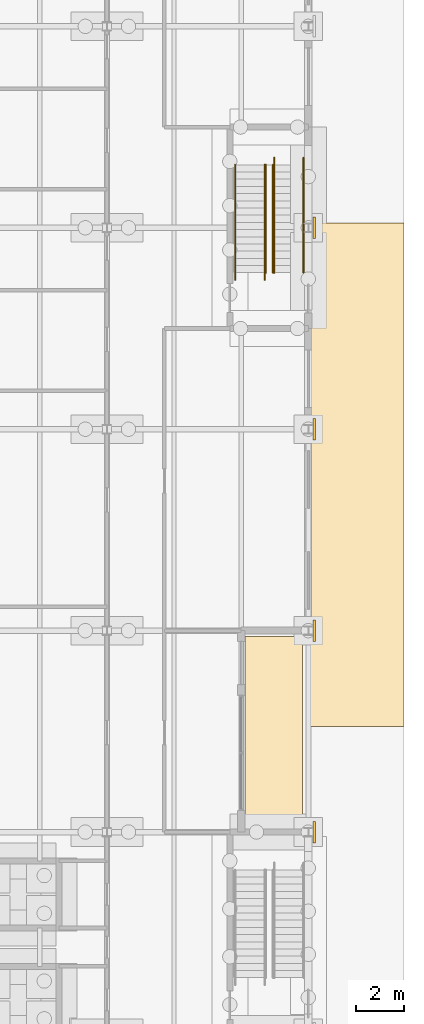
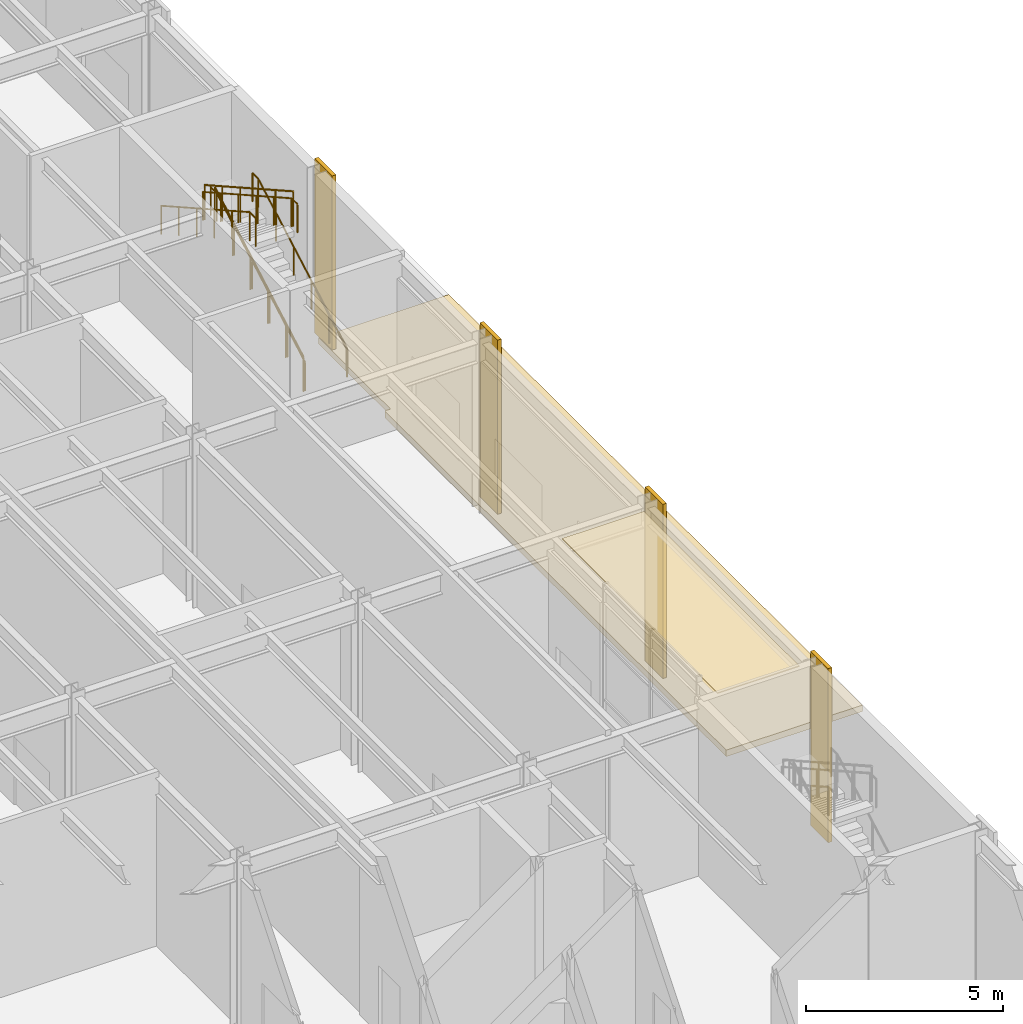
# One storey, part 104 of 127: 6 coverings, 6 railings.
"""IFC4 building model written with IfcOpenShell, lengths in metres."""

from ifc_helpers import new_model, si_unit, direction, frame, origin, origin_2d, place, context, subcontext, project, spatial, polyline, rectangle, circle, outline, extrude, material, layer, layer_set, type_object, element, save


model = new_model("IFC4")

# Units and contexts
model_context = context("Model", 3, precision=1e-05, world=origin(), true_north=direction((0.0, 1.0)))
body_context = subcontext(model_context, "Body", "Model", "MODEL_VIEW")
ifc_project = project(units=[si_unit("LENGTHUNIT", "METRE"), si_unit("AREAUNIT", "SQUARE_METRE"), si_unit("VOLUMEUNIT", "CUBIC_METRE"), si_unit("PLANEANGLEUNIT", "RADIAN"), si_unit("MASSUNIT", "GRAM", prefix="KILO")], contexts=[model_context])

# Site, building, storey
site_placement = place(None, origin())
site = spatial("IfcSite", under=ifc_project, at=site_placement, CompositionType="ELEMENT")
building_placement = place(site_placement, origin())
building = spatial("IfcBuilding", under=site, at=building_placement, Name="Ljudholm Concert House", CompositionType="ELEMENT")
storey_placement = place(building_placement, origin())
storey = spatial("IfcBuildingStorey", under=building, at=storey_placement, Name="L00", CompositionType="ELEMENT", Elevation=0.0)

# Covering
ifc_material_1 = material(Name="Aluminium extrusion with timber-grain PVDF finish", Category="aluminium")
ifc_layer_1 = layer(ifc_material_1, 0.030029296875)
ifc_layer_set_1 = layer_set([ifc_layer_1], Name="Aluminium extrusion with timber-grain PVDF finish")
covering_type_1 = type_object("IfcCoveringType", Name="ALUMINIUM EXTRUSION WITH TIMBER-GRAIN PVDF FINISH CEILING 30", PredefinedType="CEILING", material=ifc_layer_set_1)
covering_1_placement = place(storey_placement, frame((0.0, 0.0, 5.18994140625)))
element("IfcCovering", 1, at=covering_1_placement, inside=storey, type_object=covering_type_1, Name="Porch soffit", PredefinedType="CEILING", context=body_context, shape_type="SweptSolid", body=[
    extrude(outline(polyline([(118.949951171875, 37.85009765625), (121.35009765625, 37.85009765625), (121.35009765625, 45.75), (118.949951171875, 45.75), (118.949951171875, 37.85009765625)])), origin(), (0.0, 0.0, 1.0), 0.030029296875),
])

# Railings
ifc_material_2 = material(Name="Steel ASTM A36", Category="steel")
railing_type_1 = type_object("IfcRailingType", Name="GUARD 1100", PredefinedType="GUARDRAIL", material=ifc_material_2)
railing_1_placement = place(storey_placement, frame((120.125, 60.925048828125, 0.168701171875)))
element("IfcRailing", 2, at=railing_1_placement, inside=storey, type_object=railing_type_1, Name="Guard", PredefinedType="GUARDRAIL", context=body_context, shape_type="SweptSolid", body=[
    extrude(circle(Radius=0.02490234375, at=origin_2d()), frame((0.0, 0.0, 1.0751953125), z_axis=(0.0, 0.871512386077, 0.490373491244), x_axis=(-1.0, 0.0, 0.0)), (0.0, 0.0, 1.0), 1.032470703125),
    extrude(circle(Radius=0.02490234375, at=origin_2d()), frame((0.0, 0.89990234375, 1.58154296875), z_axis=(0.0, 0.87167022805, 0.49009286215), x_axis=(-1.0, 0.0, 0.0)), (0.0, 0.0, 1.0), 1.03271484375),
    extrude(circle(Radius=0.02490234375, at=origin_2d()), frame((0.0, 1.800048828125, 2.08740234375), z_axis=(0.0, 0.871512386077, 0.490373491244), x_axis=(-1.0, 0.0, 0.0)), (0.0, 0.0, 1.0), 1.032470703125),
    extrude(circle(Radius=0.02490234375, at=origin_2d()), frame((0.0, 2.699951171875, 2.59375), z_axis=(0.0, 0.871512386077, 0.490373491244), x_axis=(-1.0, 0.0, 0.0)), (0.0, 0.0, 1.0), 1.032470703125),
    extrude(circle(Radius=0.02490234375, at=origin_2d()), frame((0.0, 3.599853515625, 3.10009765625), z_axis=(0.0, 0.87167022805, 0.49009286215), x_axis=(-1.0, 0.0, 0.0)), (0.0, 0.0, 1.0), 1.03271484375),
    extrude(circle(Radius=0.02099609375, at=origin_2d()), origin(), (0.0, 0.0, 1.0), 1.050048828125),
    extrude(circle(Radius=0.02099609375, at=origin_2d()), frame((0.0, 0.89990234375, 0.50634765625)), (0.0, 0.0, 1.0), 1.050048828125),
    extrude(circle(Radius=0.02099609375, at=origin_2d()), frame((0.0, 1.800048828125, 1.012451171875)), (0.0, 0.0, 1.0), 1.050048828125),
    extrude(circle(Radius=0.02099609375, at=origin_2d()), frame((0.0, 2.699951171875, 1.518798828125)), (0.0, 0.0, 1.0), 1.050048828125),
    extrude(circle(Radius=0.02099609375, at=origin_2d()), frame((0.0, 3.599853515625, 2.025146484375)), (0.0, 0.0, 1.0), 1.050048828125),
    extrude(circle(Radius=0.02099609375, at=origin_2d()), frame((0.0, 4.5, 2.53125)), (0.0, 0.0, 1.0), 1.050048828125),
])
railing_2_placement = place(storey_placement, frame((119.824951171875, 65.425048828125, 2.86865234375)))
element("IfcRailing", 3, at=railing_2_placement, inside=storey, type_object=railing_type_1, Name="Guard", PredefinedType="GUARDRAIL", context=body_context, shape_type="SweptSolid", body=[
    extrude(circle(Radius=0.02490234375, at=origin_2d()), frame((0.0, 0.0, 1.0751953125), z_axis=(0.0, -0.871569223971, 0.490272462847), x_axis=(1.0, 0.0, 0.0)), (0.0, 0.0, 1.0), 1.03271484375),
    extrude(circle(Radius=0.02490234375, at=origin_2d()), frame((0.0, -0.900146484375, 1.58154296875), z_axis=(0.0, -0.871512386077, 0.490373491244), x_axis=(1.0, 0.0, 0.0)), (0.0, 0.0, 1.0), 1.032470703125),
    extrude(circle(Radius=0.02490234375, at=origin_2d()), frame((0.0, -1.800048828125, 2.087890625), z_axis=(0.0, -0.871613425205, 0.490193876953), x_axis=(1.0, 0.0, 0.0)), (0.0, 0.0, 1.0), 1.032470703125),
    extrude(circle(Radius=0.02490234375, at=origin_2d()), frame((0.0, -2.699951171875, 2.59375), z_axis=(0.0, -0.871569223971, 0.490272462847), x_axis=(1.0, 0.0, 0.0)), (0.0, 0.0, 1.0), 1.03271484375),
    extrude(circle(Radius=0.02490234375, at=origin_2d()), frame((0.0, -3.60009765625, 3.10009765625), z_axis=(0.0, -0.871613425205, 0.490193876953), x_axis=(1.0, 0.0, 0.0)), (0.0, 0.0, 1.0), 1.032470703125),
    extrude(circle(Radius=0.02099609375, at=origin_2d()), origin(), (0.0, 0.0, 1.0), 1.050048828125),
    extrude(circle(Radius=0.02099609375, at=origin_2d()), frame((0.0, -0.900146484375, 0.50634765625)), (0.0, 0.0, 1.0), 1.050048828125),
    extrude(circle(Radius=0.02099609375, at=origin_2d()), frame((0.0, -1.800048828125, 1.0126953125)), (0.0, 0.0, 1.0), 1.050048828125),
    extrude(circle(Radius=0.02099609375, at=origin_2d()), frame((0.0, -2.699951171875, 1.518798828125)), (0.0, 0.0, 1.0), 1.050048828125),
    extrude(circle(Radius=0.02099609375, at=origin_2d()), frame((0.0, -3.60009765625, 2.025146484375)), (0.0, 0.0, 1.0), 1.050048828125),
    extrude(circle(Radius=0.02099609375, at=origin_2d()), frame((0.0, -4.5, 2.53125)), (0.0, 0.0, 1.0), 1.050048828125),
])
ifc_material_3 = material(Name="Steel ASTM A36", Category="steel")
railing_type_2 = type_object("IfcRailingType", Name="HANDRAIL 900", PredefinedType="HANDRAIL", material=ifc_material_3)
railing_3_placement = place(storey_placement, frame((120.175048828125, 60.925048828125, 0.168701171875)))
element("IfcRailing", 4, at=railing_3_placement, inside=storey, type_object=railing_type_2, Name="Handrail", PredefinedType="HANDRAIL", context=body_context, shape_type="SweptSolid", body=[
    extrude(circle(Radius=0.0224609375, at=origin_2d()), frame((0.0, 0.0, 0.87744140625), z_axis=(0.0, 0.871512386077, 0.490373491244), x_axis=(-1.0, 0.0, 0.0)), (0.0, 0.0, 1.0), 1.032470703125),
    extrude(circle(Radius=0.0224609375, at=origin_2d()), frame((0.0, 0.89990234375, 1.3837890625), z_axis=(0.0, 0.87167022805, 0.49009286215), x_axis=(-1.0, 0.0, 0.0)), (0.0, 0.0, 1.0), 1.03271484375),
    extrude(circle(Radius=0.0224609375, at=origin_2d()), frame((0.0, 1.800048828125, 1.889892578125), z_axis=(0.0, 0.871512386077, 0.490373491244), x_axis=(-1.0, 0.0, 0.0)), (0.0, 0.0, 1.0), 1.032470703125),
    extrude(circle(Radius=0.0224609375, at=origin_2d()), frame((0.0, 2.699951171875, 2.396240234375), z_axis=(0.0, 0.871512386077, 0.490373491244), x_axis=(-1.0, 0.0, 0.0)), (0.0, 0.0, 1.0), 1.032470703125),
    extrude(circle(Radius=0.0224609375, at=origin_2d()), frame((0.0, 3.599853515625, 2.902587890625), z_axis=(0.0, 0.87167022805, 0.49009286215), x_axis=(-1.0, 0.0, 0.0)), (0.0, 0.0, 1.0), 1.03271484375),
    extrude(circle(Radius=0.0224609375, at=origin_2d()), frame((0.0, 4.5, 3.40869140625), z_axis=(0.0, 1.0, 0.0), x_axis=(-1.0, 0.0, 0.0)), (0.0, 0.0, 1.0), 0.300048828125),
    extrude(circle(Radius=0.02099609375, at=origin_2d()), origin(), (0.0, 0.0, 1.0), 0.85498046875),
    extrude(circle(Radius=0.02099609375, at=origin_2d()), frame((0.0, 0.89990234375, 0.50634765625)), (0.0, 0.0, 1.0), 0.85498046875),
    extrude(circle(Radius=0.02099609375, at=origin_2d()), frame((0.0, 1.800048828125, 1.012451171875)), (0.0, 0.0, 1.0), 0.85498046875),
    extrude(circle(Radius=0.02099609375, at=origin_2d()), frame((0.0, 2.699951171875, 1.518798828125)), (0.0, 0.0, 1.0), 0.85498046875),
    extrude(circle(Radius=0.02099609375, at=origin_2d()), frame((0.0, 3.599853515625, 2.025146484375)), (0.0, 0.0, 1.0), 0.85498046875),
    extrude(circle(Radius=0.02099609375, at=origin_2d()), frame((0.0, 4.5, 2.53125)), (0.0, 0.0, 1.0), 0.85498046875),
    extrude(circle(Radius=0.02099609375, at=origin_2d()), frame((0.0, 4.800048828125, 2.53125)), (0.0, 0.0, 1.0), 0.85498046875),
])
railing_4_placement = place(storey_placement, frame((121.39990234375, 60.925048828125, 0.168701171875)))
element("IfcRailing", 5, at=railing_4_placement, inside=storey, type_object=railing_type_2, Name="Handrail", PredefinedType="HANDRAIL", context=body_context, shape_type="SweptSolid", body=[
    extrude(circle(Radius=0.0224609375, at=origin_2d()), frame((0.0, 0.0, 0.87744140625), z_axis=(0.0, 0.871512386077, 0.490373491244), x_axis=(-1.0, 0.0, 0.0)), (0.0, 0.0, 1.0), 1.032470703125),
    extrude(circle(Radius=0.0224609375, at=origin_2d()), frame((0.0, 0.89990234375, 1.3837890625), z_axis=(0.0, 0.87167022805, 0.49009286215), x_axis=(-1.0, 0.0, 0.0)), (0.0, 0.0, 1.0), 1.03271484375),
    extrude(circle(Radius=0.0224609375, at=origin_2d()), frame((0.0, 1.800048828125, 1.889892578125), z_axis=(0.0, 0.871512386077, 0.490373491244), x_axis=(-1.0, 0.0, 0.0)), (0.0, 0.0, 1.0), 1.032470703125),
    extrude(circle(Radius=0.0224609375, at=origin_2d()), frame((0.0, 2.699951171875, 2.396240234375), z_axis=(0.0, 0.871512386077, 0.490373491244), x_axis=(-1.0, 0.0, 0.0)), (0.0, 0.0, 1.0), 1.032470703125),
    extrude(circle(Radius=0.0224609375, at=origin_2d()), frame((0.0, 3.599853515625, 2.902587890625), z_axis=(0.0, 0.87167022805, 0.49009286215), x_axis=(-1.0, 0.0, 0.0)), (0.0, 0.0, 1.0), 1.03271484375),
    extrude(circle(Radius=0.0224609375, at=origin_2d()), frame((0.0, 4.5, 3.40869140625), z_axis=(0.0, 1.0, 0.0), x_axis=(-1.0, 0.0, 0.0)), (0.0, 0.0, 1.0), 0.300048828125),
    extrude(circle(Radius=0.02099609375, at=origin_2d()), origin(), (0.0, 0.0, 1.0), 0.85498046875),
    extrude(circle(Radius=0.02099609375, at=origin_2d()), frame((0.0, 0.89990234375, 0.50634765625)), (0.0, 0.0, 1.0), 0.85498046875),
    extrude(circle(Radius=0.02099609375, at=origin_2d()), frame((0.0, 1.800048828125, 1.012451171875)), (0.0, 0.0, 1.0), 0.85498046875),
    extrude(circle(Radius=0.02099609375, at=origin_2d()), frame((0.0, 2.699951171875, 1.518798828125)), (0.0, 0.0, 1.0), 0.85498046875),
    extrude(circle(Radius=0.02099609375, at=origin_2d()), frame((0.0, 3.599853515625, 2.025146484375)), (0.0, 0.0, 1.0), 0.85498046875),
    extrude(circle(Radius=0.02099609375, at=origin_2d()), frame((0.0, 4.5, 2.53125)), (0.0, 0.0, 1.0), 0.85498046875),
    extrude(circle(Radius=0.02099609375, at=origin_2d()), frame((0.0, 4.800048828125, 2.53125)), (0.0, 0.0, 1.0), 0.85498046875),
])
railing_5_placement = place(storey_placement, frame((119.77490234375, 65.425048828125, 2.86865234375)))
element("IfcRailing", 6, at=railing_5_placement, inside=storey, type_object=railing_type_2, Name="Handrail", PredefinedType="HANDRAIL", context=body_context, shape_type="SweptSolid", body=[
    extrude(circle(Radius=0.0224609375, at=origin_2d()), frame((0.0, 0.0, 0.87744140625), z_axis=(0.0, -0.871569223971, 0.490272462847), x_axis=(1.0, 0.0, 0.0)), (0.0, 0.0, 1.0), 1.03271484375),
    extrude(circle(Radius=0.0224609375, at=origin_2d()), frame((0.0, -0.900146484375, 1.3837890625), z_axis=(0.0, -0.871512386077, 0.490373491244), x_axis=(1.0, 0.0, 0.0)), (0.0, 0.0, 1.0), 1.032470703125),
    extrude(circle(Radius=0.0224609375, at=origin_2d()), frame((0.0, -1.800048828125, 1.89013671875), z_axis=(0.0, -0.871613425205, 0.490193876953), x_axis=(1.0, 0.0, 0.0)), (0.0, 0.0, 1.0), 1.032470703125),
    extrude(circle(Radius=0.0224609375, at=origin_2d()), frame((0.0, -2.699951171875, 2.396240234375), z_axis=(0.0, -0.871569223971, 0.490272462847), x_axis=(1.0, 0.0, 0.0)), (0.0, 0.0, 1.0), 1.03271484375),
    extrude(circle(Radius=0.0224609375, at=origin_2d()), frame((0.0, -3.60009765625, 2.902587890625), z_axis=(0.0, -0.871613425205, 0.490193876953), x_axis=(1.0, 0.0, 0.0)), (0.0, 0.0, 1.0), 1.032470703125),
    extrude(circle(Radius=0.0224609375, at=origin_2d()), frame((0.0, -4.5, 3.40869140625), z_axis=(0.0, -1.0, 0.0), x_axis=(1.0, 0.0, 0.0)), (0.0, 0.0, 1.0), 0.300048828125),
    extrude(circle(Radius=0.02099609375, at=origin_2d()), origin(), (0.0, 0.0, 1.0), 0.85498046875),
    extrude(circle(Radius=0.02099609375, at=origin_2d()), frame((0.0, -0.900146484375, 0.50634765625)), (0.0, 0.0, 1.0), 0.85498046875),
    extrude(circle(Radius=0.02099609375, at=origin_2d()), frame((0.0, -1.800048828125, 1.0126953125)), (0.0, 0.0, 1.0), 0.85498046875),
    extrude(circle(Radius=0.02099609375, at=origin_2d()), frame((0.0, -2.699951171875, 1.518798828125)), (0.0, 0.0, 1.0), 0.85498046875),
    extrude(circle(Radius=0.02099609375, at=origin_2d()), frame((0.0, -3.60009765625, 2.025146484375)), (0.0, 0.0, 1.0), 0.85498046875),
    extrude(circle(Radius=0.02099609375, at=origin_2d()), frame((0.0, -4.5, 2.53125)), (0.0, 0.0, 1.0), 0.85498046875),
    extrude(circle(Radius=0.02099609375, at=origin_2d()), frame((0.0, -4.800048828125, 2.53125)), (0.0, 0.0, 1.0), 0.85498046875),
])
railing_6_placement = place(storey_placement, frame((118.550048828125, 65.425048828125, 2.86865234375)))
element("IfcRailing", 7, at=railing_6_placement, inside=storey, type_object=railing_type_2, Name="Handrail", PredefinedType="HANDRAIL", context=body_context, shape_type="SweptSolid", body=[
    extrude(circle(Radius=0.0224609375, at=origin_2d()), frame((0.0, 0.0, 0.87744140625), z_axis=(0.0, -0.871569223971, 0.490272462847), x_axis=(1.0, 0.0, 0.0)), (0.0, 0.0, 1.0), 1.03271484375),
    extrude(circle(Radius=0.0224609375, at=origin_2d()), frame((0.0, -0.900146484375, 1.3837890625), z_axis=(0.0, -0.871512386077, 0.490373491244), x_axis=(1.0, 0.0, 0.0)), (0.0, 0.0, 1.0), 1.032470703125),
    extrude(circle(Radius=0.0224609375, at=origin_2d()), frame((0.0, -1.800048828125, 1.89013671875), z_axis=(0.0, -0.871613425205, 0.490193876953), x_axis=(1.0, 0.0, 0.0)), (0.0, 0.0, 1.0), 1.032470703125),
    extrude(circle(Radius=0.0224609375, at=origin_2d()), frame((0.0, -2.699951171875, 2.396240234375), z_axis=(0.0, -0.871569223971, 0.490272462847), x_axis=(1.0, 0.0, 0.0)), (0.0, 0.0, 1.0), 1.03271484375),
    extrude(circle(Radius=0.0224609375, at=origin_2d()), frame((0.0, -3.60009765625, 2.902587890625), z_axis=(0.0, -0.871613425205, 0.490193876953), x_axis=(1.0, 0.0, 0.0)), (0.0, 0.0, 1.0), 1.032470703125),
    extrude(circle(Radius=0.0224609375, at=origin_2d()), frame((0.0, -4.5, 3.40869140625), z_axis=(0.0, -1.0, 0.0), x_axis=(1.0, 0.0, 0.0)), (0.0, 0.0, 1.0), 0.300048828125),
    extrude(circle(Radius=0.02099609375, at=origin_2d()), origin(), (0.0, 0.0, 1.0), 0.85498046875),
    extrude(circle(Radius=0.02099609375, at=origin_2d()), frame((0.0, -0.900146484375, 0.50634765625)), (0.0, 0.0, 1.0), 0.85498046875),
    extrude(circle(Radius=0.02099609375, at=origin_2d()), frame((0.0, -1.800048828125, 1.0126953125)), (0.0, 0.0, 1.0), 0.85498046875),
    extrude(circle(Radius=0.02099609375, at=origin_2d()), frame((0.0, -2.699951171875, 1.518798828125)), (0.0, 0.0, 1.0), 0.85498046875),
    extrude(circle(Radius=0.02099609375, at=origin_2d()), frame((0.0, -3.60009765625, 2.025146484375)), (0.0, 0.0, 1.0), 0.85498046875),
    extrude(circle(Radius=0.02099609375, at=origin_2d()), frame((0.0, -4.5, 2.53125)), (0.0, 0.0, 1.0), 0.85498046875),
    extrude(circle(Radius=0.02099609375, at=origin_2d()), frame((0.0, -4.800048828125, 2.53125)), (0.0, 0.0, 1.0), 0.85498046875),
])

# Coverings
ifc_material_4 = material(Name="Precast concrete pavers on compacted sand bed", Category="concrete")
ifc_layer_2 = layer(ifc_material_4, 0.199951171875)
ifc_layer_set_2 = layer_set([ifc_layer_2], Name="Precast concrete pavers on compacted sand bed")
covering_type_2 = type_object("IfcCoveringType", Name="PRECAST CONCRETE PAVERS ON COMPACTED SAND BED PAVING 200", PredefinedType="USERDEFINED", material=ifc_layer_set_2)
covering_2_placement = place(storey_placement, frame((0.0, 0.0, -0.199951171875)))
element("IfcCovering", 8, at=covering_2_placement, inside=storey, type_object=covering_type_2, Name="Paving", ObjectType="PAVING", PredefinedType="USERDEFINED", context=body_context, shape_type="SweptSolid", body=[
    extrude(outline(polyline([(125.590087890625, 42.0), (121.60009765625, 42.0), (121.60009765625, 59.35009765625), (121.751953125, 59.35009765625), (121.759521484375, 59.352294921875), (121.765380859375, 59.357421875), (121.76904296875, 59.3642578125), (121.77001953125, 59.3701171875), (121.77001953125, 63.0), (125.590087890625, 63.0), (125.590087890625, 42.0)])), origin(), (0.0, 0.0, 1.0), 0.199951171875),
])
ifc_material_5 = material(Name="Precast concrete, limestone aggregate", Category="masonry")
ifc_layer_3 = layer(ifc_material_5, 0.110107421875)
ifc_layer_set_3 = layer_set([ifc_layer_3], Name="Precast concrete, limestone aggregate")
covering_type_3 = type_object("IfcCoveringType", Name="PRECAST CONCRETE, LIMESTONE AGGREGATE CLADDING 110", PredefinedType="CLADDING", material=ifc_layer_set_3)
for number, where, z_axis, x_axis, name in (
    (9, (121.844970703125, 37.60009765625, 0.0), (0.0, 0.0, 1.0), (1.0, 0.0, 0.0), "Pilaster cladding"),
    (10, (121.844970703125, 46.0, 0.0), (0.0, 0.0, 1.0), (1.0, 0.0, 0.0), "Pilaster cladding"),
    (11, (121.844970703125, 54.39990234375, 0.0), (0.0, 0.0, 1.0), (1.0, 0.0, 0.0), "Pilaster cladding"),
    (12, (121.844970703125, 62.800048828125, 0.0), (0.0, 0.0, 1.0), (1.0, 0.0, 0.0), "Pilaster cladding"),
):
    element("IfcCovering", number, at=place(storey_placement, frame(where, z_axis=z_axis, x_axis=x_axis)), inside=storey, type_object=covering_type_3, Name=name, PredefinedType="CLADDING", context=body_context, shape_type="SweptSolid", body=[
        extrude(rectangle(XDim=0.110107421875, YDim=0.89990234375, at=origin_2d()), origin(), (0.0, 0.0, 1.0), 5.39990234375),
    ])

save(model, "model.ifc")
